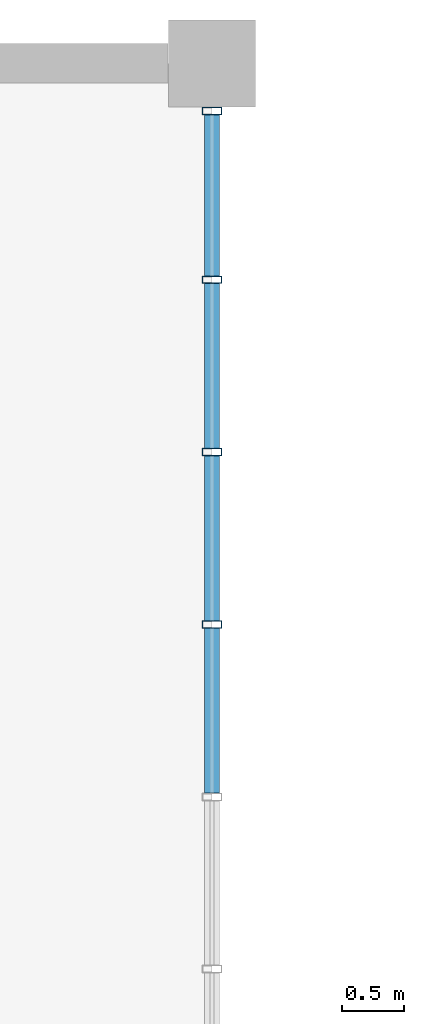
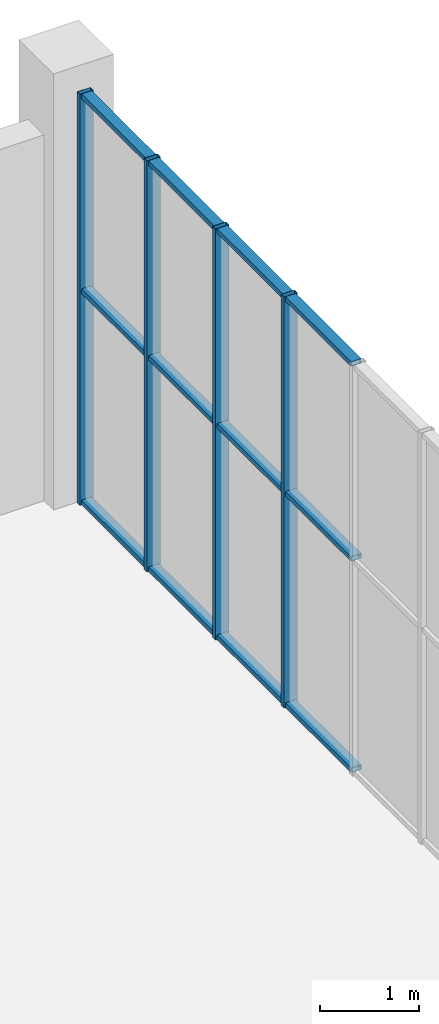
# One storey, part 60 of 91: 16 members, 1 element without a shape of its own.
"""IFC4 building model written with IfcOpenShell, lengths in metres."""

from ifc_helpers import new_model, si_unit, direction, frame, origin, origin_2d, place, context, subcontext, project, spatial, hollow_rectangle, extrude, material, material_profile, profile_set, type_object, element, aggregate, save


model = new_model("IFC4")

# Units and contexts
model_context = context("Model", 3, precision=1e-05, world=origin(), true_north=direction((0.0, 1.0)))
body_context = subcontext(model_context, "Body", "Model", "MODEL_VIEW")
ifc_project = project(units=[si_unit("LENGTHUNIT", "METRE"), si_unit("AREAUNIT", "SQUARE_METRE"), si_unit("VOLUMEUNIT", "CUBIC_METRE"), si_unit("PLANEANGLEUNIT", "RADIAN"), si_unit("MASSUNIT", "GRAM", prefix="KILO")], contexts=[model_context])

# Site, building, storey
site_placement = place(None, origin())
site = spatial("IfcSite", under=ifc_project, at=site_placement, CompositionType="ELEMENT")
building_placement = place(site_placement, origin())
building = spatial("IfcBuilding", under=site, at=building_placement, Name="Khurvash Pelagic Aquarium", CompositionType="ELEMENT")
storey_placement = place(building_placement, origin())
storey = spatial("IfcBuildingStorey", under=building, at=storey_placement, Name="L00", CompositionType="ELEMENT", Elevation=0.0)

# Curtain wall, members
ifc_material_1 = material(Name="Anodised aluminium and low-E laminated glass", Category="aluminium")
curtain_wall_type = type_object("IfcCurtainWallType", Name="CW-05", PredefinedType="USERDEFINED", material=ifc_material_1)
curtain_wall_placement = place(storey_placement, origin())
curtain_wall = element("IfcCurtainWall", 1, at=curtain_wall_placement, inside=storey, type_object=curtain_wall_type, Name="L00 Facade Unitised Curtain Wall CW-05 0063", ObjectType="UNITISED CURTAIN WALL", PredefinedType="USERDEFINED")
ifc_material_2 = material(Name="Extruded aluminium AW-6063-T6", Category="aluminium")
ifc_material_profile_1 = material_profile(ifc_material_2, hollow_rectangle(XDim=0.06005859375, YDim=0.159912109375, WallThickness=0.00390625, at=origin_2d()), Name="CWM60X160X4")
ifc_profile_set_1 = profile_set([ifc_material_profile_1], Name="Extruded aluminium AW-6063-T6")
member_type_1 = type_object("IfcMemberType", Name="CM-02", PredefinedType="MULLION", material=ifc_profile_set_1)
member_1_placement = place(storey_placement, frame((126.0, 106.675048828125, 0.0), z_axis=(0.0, 0.0, 1.0), x_axis=(0.0, 1.0, 0.0)))
member_1 = element("IfcMember", 2, at=member_1_placement, type_object=member_type_1, Name="CW-05 mullion 4", PredefinedType="MULLION", context=body_context, shape_type="SweptSolid", body=[
    extrude(hollow_rectangle(XDim=0.06005859375, YDim=0.159912109375, WallThickness=0.00390625, at=origin_2d()), origin(), (0.0, 0.0, 1.0), 5.090087890625),
])
member_2_placement = place(storey_placement, frame((126.0, 108.06494140625, 0.0), z_axis=(0.0, 0.0, 1.0), x_axis=(0.0, 1.0, 0.0)))
member_2 = element("IfcMember", 3, at=member_2_placement, type_object=member_type_1, Name="CW-05 mullion 5", PredefinedType="MULLION", context=body_context, shape_type="SweptSolid", body=[
    extrude(hollow_rectangle(XDim=0.06005859375, YDim=0.159912109375, WallThickness=0.00390625, at=origin_2d()), origin(), (0.0, 0.0, 1.0), 5.090087890625),
])
member_3_placement = place(storey_placement, frame((126.0, 109.455078125, 0.0), z_axis=(0.0, 0.0, 1.0), x_axis=(0.0, 1.0, 0.0)))
member_3 = element("IfcMember", 4, at=member_3_placement, type_object=member_type_1, Name="CW-05 mullion 6", PredefinedType="MULLION", context=body_context, shape_type="SweptSolid", body=[
    extrude(hollow_rectangle(XDim=0.06005859375, YDim=0.159912109375, WallThickness=0.00390625, at=origin_2d()), origin(), (0.0, 0.0, 1.0), 5.090087890625),
])
member_4_placement = place(storey_placement, frame((126.0, 110.81494140625, 0.0), z_axis=(0.0, 0.0, 1.0), x_axis=(0.0, 1.0, 0.0)))
member_4 = element("IfcMember", 5, at=member_4_placement, type_object=member_type_1, Name="CW-05 mullion 7", PredefinedType="MULLION", context=body_context, shape_type="SweptSolid", body=[
    extrude(hollow_rectangle(XDim=0.06005859375, YDim=0.159912109375, WallThickness=0.00390625, at=origin_2d()), origin(), (0.0, 0.0, 1.0), 5.090087890625),
])
ifc_material_profile_2 = material_profile(ifc_material_2, hollow_rectangle(XDim=0.1201171875, YDim=0.06005859375, WallThickness=0.00390625, at=origin_2d()), Name="CWT120X60X4")
ifc_profile_set_2 = profile_set([ifc_material_profile_2], Name="Extruded aluminium AW-6063-T6")
member_type_2 = type_object("IfcMemberType", Name="CT-02", PredefinedType="USERDEFINED", material=ifc_profile_set_2)
member_5_placement = place(storey_placement, frame((126.0, 105.31494140625, 0.030029296875), z_axis=(0.0, 1.0, 0.0), x_axis=(-1.0, 0.0, 0.0)))
member_5 = element("IfcMember", 6, at=member_5_placement, type_object=member_type_2, Name="CW-05 transom 3.1", ObjectType="TRANSOM", PredefinedType="USERDEFINED", context=body_context, shape_type="SweptSolid", body=[
    extrude(hollow_rectangle(XDim=0.1201171875, YDim=0.06005859375, WallThickness=0.00390625, at=origin_2d()), origin(), (0.0, 0.0, 1.0), 1.330078125),
])
member_6_placement = place(storey_placement, frame((126.0, 105.31494140625, 2.64697265625), z_axis=(0.0, 1.0, 0.0), x_axis=(-1.0, 0.0, 0.0)))
member_6 = element("IfcMember", 7, at=member_6_placement, type_object=member_type_2, Name="CW-05 transom 3.2", ObjectType="TRANSOM", PredefinedType="USERDEFINED", context=body_context, shape_type="SweptSolid", body=[
    extrude(hollow_rectangle(XDim=0.1201171875, YDim=0.06005859375, WallThickness=0.00390625, at=origin_2d()), origin(), (0.0, 0.0, 1.0), 1.330078125),
])
member_7_placement = place(storey_placement, frame((126.0, 105.31494140625, 5.06005859375), z_axis=(0.0, 1.0, 0.0), x_axis=(-1.0, 0.0, 0.0)))
member_7 = element("IfcMember", 8, at=member_7_placement, type_object=member_type_2, Name="CW-05 transom 3.3", ObjectType="TRANSOM", PredefinedType="USERDEFINED", context=body_context, shape_type="SweptSolid", body=[
    extrude(hollow_rectangle(XDim=0.1201171875, YDim=0.06005859375, WallThickness=0.00390625, at=origin_2d()), origin(), (0.0, 0.0, 1.0), 1.330078125),
])
member_8_placement = place(storey_placement, frame((126.0, 106.705078125, 0.030029296875), z_axis=(0.0, 1.0, 0.0), x_axis=(-1.0, 0.0, 0.0)))
member_8 = element("IfcMember", 9, at=member_8_placement, type_object=member_type_2, Name="CW-05 transom 4.1", ObjectType="TRANSOM", PredefinedType="USERDEFINED", context=body_context, shape_type="SweptSolid", body=[
    extrude(hollow_rectangle(XDim=0.1201171875, YDim=0.06005859375, WallThickness=0.00390625, at=origin_2d()), origin(), (0.0, 0.0, 1.0), 1.329833984375),
])
member_9_placement = place(storey_placement, frame((126.0, 106.705078125, 2.64697265625), z_axis=(0.0, 1.0, 0.0), x_axis=(-1.0, 0.0, 0.0)))
member_9 = element("IfcMember", 10, at=member_9_placement, type_object=member_type_2, Name="CW-05 transom 4.2", ObjectType="TRANSOM", PredefinedType="USERDEFINED", context=body_context, shape_type="SweptSolid", body=[
    extrude(hollow_rectangle(XDim=0.1201171875, YDim=0.06005859375, WallThickness=0.00390625, at=origin_2d()), origin(), (0.0, 0.0, 1.0), 1.329833984375),
])
member_10_placement = place(storey_placement, frame((126.0, 106.705078125, 5.06005859375), z_axis=(0.0, 1.0, 0.0), x_axis=(-1.0, 0.0, 0.0)))
member_10 = element("IfcMember", 11, at=member_10_placement, type_object=member_type_2, Name="CW-05 transom 4.3", ObjectType="TRANSOM", PredefinedType="USERDEFINED", context=body_context, shape_type="SweptSolid", body=[
    extrude(hollow_rectangle(XDim=0.1201171875, YDim=0.06005859375, WallThickness=0.00390625, at=origin_2d()), origin(), (0.0, 0.0, 1.0), 1.329833984375),
])
member_11_placement = place(storey_placement, frame((126.0, 108.094970703125, 0.030029296875), z_axis=(0.0, 1.0, 0.0), x_axis=(-1.0, 0.0, 0.0)))
member_11 = element("IfcMember", 12, at=member_11_placement, type_object=member_type_2, Name="CW-05 transom 5.1", ObjectType="TRANSOM", PredefinedType="USERDEFINED", context=body_context, shape_type="SweptSolid", body=[
    extrude(hollow_rectangle(XDim=0.1201171875, YDim=0.06005859375, WallThickness=0.00390625, at=origin_2d()), origin(), (0.0, 0.0, 1.0), 1.330078125),
])
member_12_placement = place(storey_placement, frame((126.0, 108.094970703125, 2.64697265625), z_axis=(0.0, 1.0, 0.0), x_axis=(-1.0, 0.0, 0.0)))
member_12 = element("IfcMember", 13, at=member_12_placement, type_object=member_type_2, Name="CW-05 transom 5.2", ObjectType="TRANSOM", PredefinedType="USERDEFINED", context=body_context, shape_type="SweptSolid", body=[
    extrude(hollow_rectangle(XDim=0.1201171875, YDim=0.06005859375, WallThickness=0.00390625, at=origin_2d()), origin(), (0.0, 0.0, 1.0), 1.330078125),
])
member_13_placement = place(storey_placement, frame((126.0, 108.094970703125, 5.06005859375), z_axis=(0.0, 1.0, 0.0), x_axis=(-1.0, 0.0, 0.0)))
member_13 = element("IfcMember", 14, at=member_13_placement, type_object=member_type_2, Name="CW-05 transom 5.3", ObjectType="TRANSOM", PredefinedType="USERDEFINED", context=body_context, shape_type="SweptSolid", body=[
    extrude(hollow_rectangle(XDim=0.1201171875, YDim=0.06005859375, WallThickness=0.00390625, at=origin_2d()), origin(), (0.0, 0.0, 1.0), 1.330078125),
])
member_14_placement = place(storey_placement, frame((126.0, 109.485107421875, 0.030029296875), z_axis=(0.0, 1.0, 0.0), x_axis=(-1.0, 0.0, 0.0)))
member_14 = element("IfcMember", 15, at=member_14_placement, type_object=member_type_2, Name="CW-05 transom 6.1", ObjectType="TRANSOM", PredefinedType="USERDEFINED", context=body_context, shape_type="SweptSolid", body=[
    extrude(hollow_rectangle(XDim=0.1201171875, YDim=0.06005859375, WallThickness=0.00390625, at=origin_2d()), origin(), (0.0, 0.0, 1.0), 1.2998046875),
])
member_15_placement = place(storey_placement, frame((126.0, 109.485107421875, 2.64697265625), z_axis=(0.0, 1.0, 0.0), x_axis=(-1.0, 0.0, 0.0)))
member_15 = element("IfcMember", 16, at=member_15_placement, type_object=member_type_2, Name="CW-05 transom 6.2", ObjectType="TRANSOM", PredefinedType="USERDEFINED", context=body_context, shape_type="SweptSolid", body=[
    extrude(hollow_rectangle(XDim=0.1201171875, YDim=0.06005859375, WallThickness=0.00390625, at=origin_2d()), origin(), (0.0, 0.0, 1.0), 1.2998046875),
])
member_16_placement = place(storey_placement, frame((126.0, 109.485107421875, 5.06005859375), z_axis=(0.0, 1.0, 0.0), x_axis=(-1.0, 0.0, 0.0)))
member_16 = element("IfcMember", 17, at=member_16_placement, type_object=member_type_2, Name="CW-05 transom 6.3", ObjectType="TRANSOM", PredefinedType="USERDEFINED", context=body_context, shape_type="SweptSolid", body=[
    extrude(hollow_rectangle(XDim=0.1201171875, YDim=0.06005859375, WallThickness=0.00390625, at=origin_2d()), origin(), (0.0, 0.0, 1.0), 1.2998046875),
])
aggregate(curtain_wall, [member_1, member_2, member_3, member_4, member_5, member_6, member_7, member_8, member_9, member_10, member_11, member_12, member_13, member_14, member_15, member_16])

save(model, "model.ifc")
